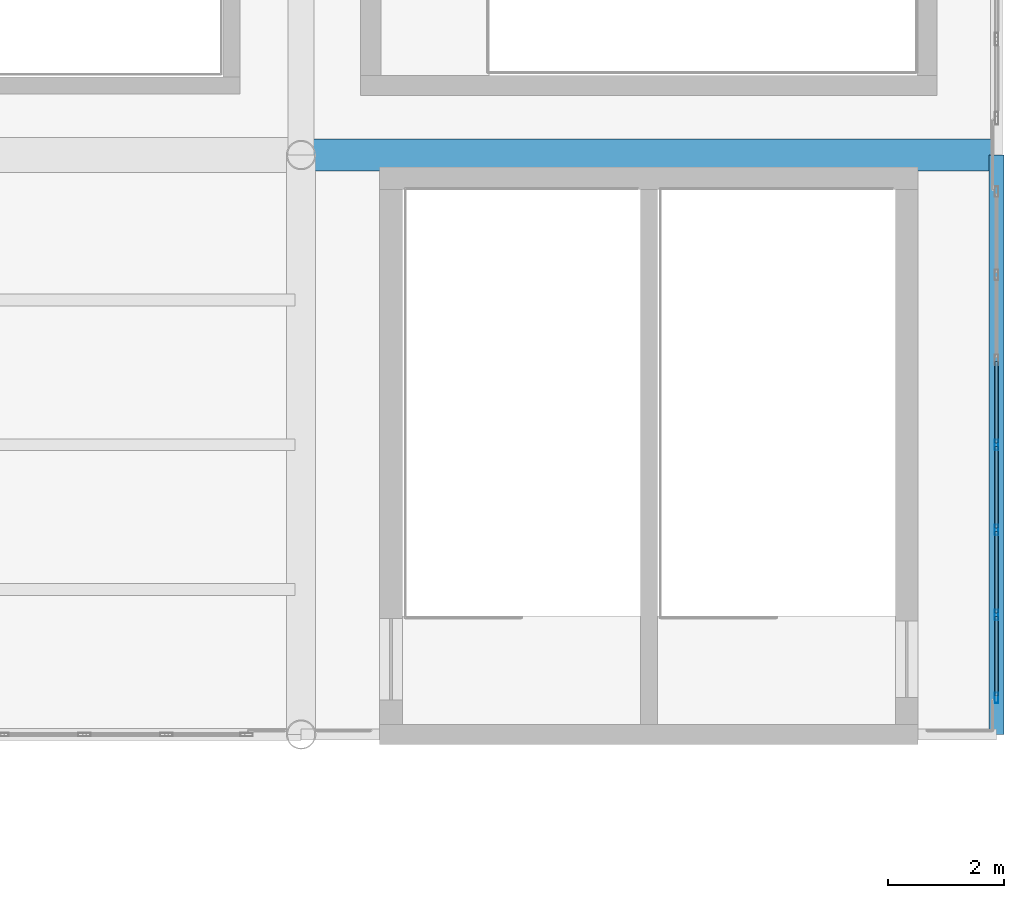
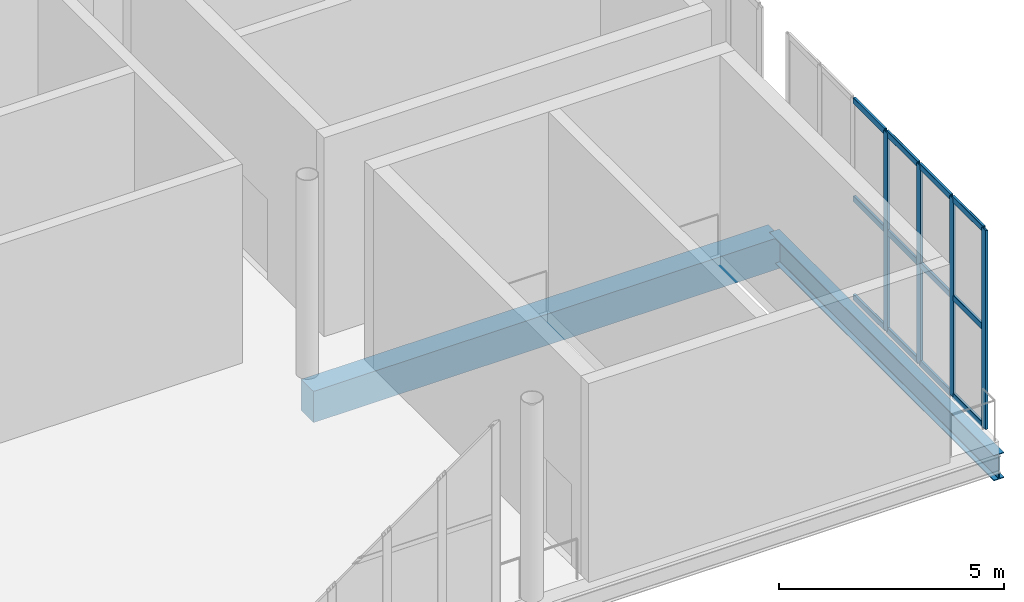
# One storey, part 29 of 74: 16 members, 2 beams, 1 element without a shape of its own.
"""IFC4 building model written with IfcOpenShell, lengths in metres."""

import ifcopenshell
import ifcopenshell.guid

model = None  # the IFC model being written
_history = None  # IfcOwnerHistory: only IFC2X3 demands one
_inside = {}  # id of a spatial element -> (the spatial element, [elements in it])
_under = {}  # id of a project, library or spatial element -> (it, [spatial elements below it])
_declared = {}  # id of a project -> (the project, [libraries it declares])
_typed = {}  # id of a type object -> (the type object, [elements of that type])
_made_of = {}  # id of a material, layer set ... -> (it, [elements and type objects made of it])


def new_model(schema):
    """Start an empty IFC model of exactly this schema.

    Asked for "IFC4X3", IfcOpenShell would pick the latest addendum, in which some entities
    have other attributes; the version numbers below select the first issue.
    IFC2X3 requires an IfcOwnerHistory on every rooted entity: one is made here for all.
    """
    global model, _history
    if schema == "IFC4X3":
        model = ifcopenshell.file(schema_version=(4, 3, 0, 0))
    else:
        model = ifcopenshell.file(schema=schema)
    _inside.clear()
    _under.clear()
    _declared.clear()
    _typed.clear()
    _made_of.clear()
    _history = None
    if model.schema == "IFC2X3":
        org = make("IfcOrganization", Name="unknown")
        user = make(
            "IfcPersonAndOrganization",
            ThePerson=make("IfcPerson", FamilyName="unknown"),
            TheOrganization=org,
        )
        app = make(
            "IfcApplication",
            ApplicationDeveloper=org,
            Version="unknown",
            ApplicationFullName="unknown",
            ApplicationIdentifier="unknown",
        )
        _history = make(
            "IfcOwnerHistory",
            OwningUser=user,
            OwningApplication=app,
            ChangeAction="ADDED",
            CreationDate=0,
        )
    return model


def make(cls, **values):
    """One entity of the class cls with the attributes given. An attribute that is None is left unset."""
    return model.create_entity(
        cls, **{name: value for name, value in values.items() if value is not None}
    )


def rooted(cls, **values):
    """An entity with a GlobalId (a new one), such as an element, a storey or a relation."""
    return make(cls, GlobalId=ifcopenshell.guid.new(), OwnerHistory=_history, **values)


def si_unit(unit_type, name, prefix=None):
    """IfcSIUnit, for example si_unit("LENGTHUNIT", "METRE", prefix="MILLI")."""
    return make("IfcSIUnit", UnitType=unit_type, Prefix=prefix, Name=name)


def assignment(units):
    """IfcUnitAssignment: the units of a project."""
    return None if units is None else make("IfcUnitAssignment", Units=units)


def point(xyz):
    """IfcCartesianPoint."""
    return None if xyz is None else make("IfcCartesianPoint", Coordinates=xyz)


def direction(xyz):
    """IfcDirection."""
    return None if xyz is None else make("IfcDirection", DirectionRatios=xyz)


def frame(location, z_axis=None, x_axis=None):
    """IfcAxis2Placement3D, a coordinate frame: its origin and axes. An axis left out is left unset."""
    return make(
        "IfcAxis2Placement3D",
        Location=point(location),
        Axis=direction(z_axis),
        RefDirection=direction(x_axis),
    )


def frame_2d(location, x_axis=None):
    """IfcAxis2Placement2D, a coordinate frame in the plane: its origin and x axis."""
    return make(
        "IfcAxis2Placement2D", Location=point(location), RefDirection=direction(x_axis)
    )


def origin():
    """The frame at (0, 0, 0) with its axes left unset."""
    return frame((0.0, 0.0, 0.0))


def origin_2d():
    """The frame at (0, 0) in the plane with its x axis left unset."""
    return frame_2d((0.0, 0.0))


def place(relative_to, where):
    """IfcLocalPlacement: puts the frame where relative to a parent placement (None: the world)."""
    return make(
        "IfcLocalPlacement", PlacementRelTo=relative_to, RelativePlacement=where
    )


def context(
    kind, dimensions, precision=None, world=None, true_north=None, identifier=None
):
    """IfcGeometricRepresentationContext, for example the 3D "Model" context."""
    return make(
        "IfcGeometricRepresentationContext",
        ContextIdentifier=identifier,
        ContextType=kind,
        CoordinateSpaceDimension=dimensions,
        Precision=precision,
        WorldCoordinateSystem=world,
        TrueNorth=true_north,
    )


def subcontext(parent, identifier, kind, view, scale=None):
    """IfcGeometricRepresentationSubContext, for example "Body" below "Model"."""
    return make(
        "IfcGeometricRepresentationSubContext",
        ContextIdentifier=identifier,
        ContextType=kind,
        ParentContext=parent,
        TargetScale=scale,
        TargetView=view,
    )


def project(units=None, contexts=None):
    """IfcProject with its units and contexts."""
    return rooted(
        "IfcProject",
        Name="project",
        RepresentationContexts=contexts,
        UnitsInContext=assignment(units),
    )


def spatial(cls, under=None, at=None, **own):
    """A site, building, storey or space (cls), placed at a placement, below another one or the project."""
    s = rooted(cls, ObjectPlacement=at, **own)
    if under is not None:
        _under.setdefault(under.id(), (under, []))[1].append(s)
    return s


def profile(cls, at=None, kind="AREA", **sizes):
    """A parametric profile (cls). Its sizes go by their IFC names, for example OverallWidth=200.0."""
    return make(cls, ProfileType=kind, Position=at, **sizes)


def rectangle(**sizes):
    """IfcRectangleProfileDef."""
    return profile("IfcRectangleProfileDef", **sizes)


def hollow_rectangle(**sizes):
    """IfcRectangleHollowProfileDef."""
    return profile("IfcRectangleHollowProfileDef", **sizes)


def i_section(**sizes):
    """IfcIShapeProfileDef."""
    return profile("IfcIShapeProfileDef", **sizes)


def extrude(swept, where, along, depth):
    """IfcExtrudedAreaSolid: the profile swept, set in the frame where, extruded along a direction by depth."""
    return make(
        "IfcExtrudedAreaSolid",
        SweptArea=swept,
        Position=where,
        ExtrudedDirection=direction(along),
        Depth=depth,
    )


def shape(context_of_items, identifier, shape_type, items):
    """IfcShapeRepresentation: the items that make up one representation, for example the "Body"."""
    return make(
        "IfcShapeRepresentation",
        ContextOfItems=context_of_items,
        RepresentationIdentifier=identifier,
        RepresentationType=shape_type,
        Items=items,
    )


def material(Name=None, Category=None):
    """IfcMaterial."""
    return make("IfcMaterial", Name=Name, Category=Category)


def layer(
    of_material, thickness, ventilated=None, Name=None, Category=None, Priority=None
):
    """IfcMaterialLayer: one layer of a wall or slab, of a material (None: an air gap)."""
    return make(
        "IfcMaterialLayer",
        Material=of_material,
        LayerThickness=thickness,
        IsVentilated=ventilated,
        Name=Name,
        Category=Category,
        Priority=Priority,
    )


def layer_set(layers, Name=None):
    """IfcMaterialLayerSet."""
    return make("IfcMaterialLayerSet", MaterialLayers=layers, LayerSetName=Name)


def material_profile(
    of_material, cross_section, Name=None, Category=None, Priority=None
):
    """IfcMaterialProfile: a cross section and its material."""
    return make(
        "IfcMaterialProfile",
        Name=Name,
        Material=of_material,
        Profile=cross_section,
        Priority=Priority,
        Category=Category,
    )


def profile_set(profiles, Name=None, composite=None):
    """IfcMaterialProfileSet."""
    return make(
        "IfcMaterialProfileSet",
        Name=Name,
        MaterialProfiles=profiles,
        CompositeProfile=composite,
    )


def made_of(thing, what):
    """Note that an element or type object is made of a material, layer set ...; save() writes the relation."""
    if what is not None:
        _made_of.setdefault(what.id(), (what, []))[1].append(thing)
    return thing


def type_object(cls, material=None, **own):
    """A type object (cls), such as IfcWallType, which elements share."""
    return made_of(rooted(cls, **own), material)


def element(
    cls,
    number,
    at=None,
    inside=None,
    cuts=None,
    type_object=None,
    material=None,
    context=None,
    identifier="Body",
    shape_type=None,
    held_by="IfcProductDefinitionShape",
    body=None,
    shapes=None,
    **own,
):
    """One element of the class cls, such as IfcWall. Its Tag is "e" and its number.

    at: its placement. inside: the storey or other place that contains it. cuts: it is an
    opening in that element (IfcRelVoidsElement). A single representation is given by context,
    identifier, shape_type and body (its items); several are given by shapes. held_by: the class
    of the entity that holds the representations. save() writes the other relations.
    """
    e = rooted(cls, Tag="e%d" % number, ObjectPlacement=at, **own)
    if body is not None:
        shapes = [shape(context, identifier, shape_type, body)]
    if shapes is not None:
        e.Representation = make(held_by, Representations=shapes)
    if inside is not None:
        _inside.setdefault(inside.id(), (inside, []))[1].append(e)
    if cuts is not None:
        rooted(
            "IfcRelVoidsElement", RelatingBuildingElement=cuts, RelatedOpeningElement=e
        )
    if type_object is not None:
        _typed.setdefault(type_object.id(), (type_object, []))[1].append(e)
    return made_of(e, material)


def aggregate(whole, parts):
    """IfcRelAggregates: a whole, such as a stair, and the parts it consists of."""
    return rooted("IfcRelAggregates", RelatingObject=whole, RelatedObjects=parts)


def save(model, path):
    """Write the relations noted so far, then the file.

    IfcRelAggregates (storeys below a building ...), IfcRelContainedInSpatialStructure (elements
    in a storey), IfcRelDefinesByType, IfcRelAssociatesMaterial and IfcRelDeclares: one each for
    every whole, place, type object, material and project.
    """
    for whole, parts in _under.values():
        aggregate(whole, parts)
    for where, things in _inside.values():
        rooted(
            "IfcRelContainedInSpatialStructure",
            RelatedElements=things,
            RelatingStructure=where,
        )
    for kind, things in _typed.values():
        rooted("IfcRelDefinesByType", RelatedObjects=things, RelatingType=kind)
    for what, things in _made_of.values():
        rooted("IfcRelAssociatesMaterial", RelatedObjects=things, RelatingMaterial=what)
    for by, libraries in _declared.values():
        rooted("IfcRelDeclares", RelatingContext=by, RelatedDefinitions=libraries)
    model.write(path)


model = new_model("IFC4")

# Units and contexts
model_context = context("Model", 3, precision=1e-05, world=origin(), true_north=direction((0.0, 1.0)))
body_context = subcontext(model_context, "Body", "Model", "MODEL_VIEW")
ifc_project = project(units=[si_unit("LENGTHUNIT", "METRE"), si_unit("AREAUNIT", "SQUARE_METRE"), si_unit("VOLUMEUNIT", "CUBIC_METRE"), si_unit("PLANEANGLEUNIT", "RADIAN"), si_unit("MASSUNIT", "GRAM", prefix="KILO")], contexts=[model_context])

# Site, building, storey
site_placement = place(None, origin())
site = spatial("IfcSite", under=ifc_project, at=site_placement, CompositionType="ELEMENT")
building_placement = place(site_placement, origin())
building = spatial("IfcBuilding", under=site, at=building_placement, Name="Brinegate Civic Arena", CompositionType="ELEMENT")
storey_placement = place(building_placement, frame((0.0, 0.0, 19.199951171875)))
storey = spatial("IfcBuildingStorey", under=building, at=storey_placement, Name="L04", CompositionType="ELEMENT", Elevation=19.199951171875)

# Curtain wall, members
ifc_material_1 = material(Name="Marine grade aluminium", Category="aluminium")
ifc_layer = layer(ifc_material_1, 0.199951171875, Name="Marine grade aluminium")
ifc_layer_set = layer_set([ifc_layer], Name="Marine grade aluminium")
curtain_wall_type = type_object("IfcCurtainWallType", Name="CW-BOWL-GLAZED-01", PredefinedType="USERDEFINED", material=ifc_layer_set)
curtain_wall_placement = place(storey_placement, origin())
curtain_wall = element("IfcCurtainWall", 1, at=curtain_wall_placement, inside=storey, type_object=curtain_wall_type, Name="Curtain Wall CWA-134", ObjectType="GLAZED CURTAIN WALL", PredefinedType="USERDEFINED")
ifc_material_profile_1 = material_profile(ifc_material_1, hollow_rectangle(XDim=0.06494140625, YDim=0.179931640625, WallThickness=0.0048828125, InnerFilletRadius=0.00390625, OuterFilletRadius=0.008056640625, at=origin_2d()), Name="MUL65X180")
ifc_profile_set_1 = profile_set([ifc_material_profile_1], Name="Marine grade aluminium")
member_type_1 = type_object("IfcMemberType", Name="CW-MULLION-65X180", PredefinedType="MULLION", material=ifc_profile_set_1)
member_1_placement = place(storey_placement, frame((168.0, 10.632568359375, 0.0), z_axis=(0.0, 0.0, 1.0), x_axis=(-1.0, 0.0, 0.0)))
member_1 = element("IfcMember", 2, at=member_1_placement, type_object=member_type_1, Name="CWA-134 mullion 1", PredefinedType="MULLION", context=body_context, shape_type="SweptSolid", body=[
    extrude(hollow_rectangle(XDim=0.06494140625, YDim=0.179931640625, WallThickness=0.0048828125, InnerFilletRadius=0.00390625, OuterFilletRadius=0.008056640625, at=origin_2d()), origin(), (0.0, 0.0, 1.0), 5.400146484375),
])
member_2_placement = place(storey_placement, frame((168.0, 12.066650390625, 0.0), z_axis=(0.0, 0.0, 1.0), x_axis=(-1.0, 0.0, 0.0)))
member_2 = element("IfcMember", 3, at=member_2_placement, type_object=member_type_1, Name="CWA-134 mullion 2", PredefinedType="MULLION", context=body_context, shape_type="SweptSolid", body=[
    extrude(hollow_rectangle(XDim=0.06494140625, YDim=0.179931640625, WallThickness=0.0048828125, InnerFilletRadius=0.00390625, OuterFilletRadius=0.008056640625, at=origin_2d()), origin(), (0.0, 0.0, 1.0), 5.400146484375),
])
member_3_placement = place(storey_placement, frame((168.0, 13.533447265625, 0.0), z_axis=(0.0, 0.0, 1.0), x_axis=(-1.0, 0.0, 0.0)))
member_3 = element("IfcMember", 4, at=member_3_placement, type_object=member_type_1, Name="CWA-134 mullion 3", PredefinedType="MULLION", context=body_context, shape_type="SweptSolid", body=[
    extrude(hollow_rectangle(XDim=0.06494140625, YDim=0.179931640625, WallThickness=0.0048828125, InnerFilletRadius=0.00390625, OuterFilletRadius=0.008056640625, at=origin_2d()), origin(), (0.0, 0.0, 1.0), 5.400146484375),
])
member_4_placement = place(storey_placement, frame((168.0, 15.0, 0.0), z_axis=(0.0, 0.0, 1.0), x_axis=(-1.0, 0.0, 0.0)))
member_4 = element("IfcMember", 5, at=member_4_placement, type_object=member_type_1, Name="CWA-134 mullion 4", PredefinedType="MULLION", context=body_context, shape_type="SweptSolid", body=[
    extrude(hollow_rectangle(XDim=0.06494140625, YDim=0.179931640625, WallThickness=0.0048828125, InnerFilletRadius=0.00390625, OuterFilletRadius=0.008056640625, at=origin_2d()), origin(), (0.0, 0.0, 1.0), 5.400146484375),
])
ifc_material_profile_2 = material_profile(ifc_material_1, hollow_rectangle(XDim=0.06494140625, YDim=0.1650390625, WallThickness=0.0048828125, InnerFilletRadius=0.00390625, OuterFilletRadius=0.008056640625, at=origin_2d()), Name="TRN65X165")
ifc_profile_set_2 = profile_set([ifc_material_profile_2], Name="Marine grade aluminium")
member_type_2 = type_object("IfcMemberType", Name="CW-TRANSOM-65X165", PredefinedType="USERDEFINED", material=ifc_profile_set_2)
member_5_placement = place(storey_placement, frame((168.0, 10.6650390625, 0.032470703125), z_axis=(0.0, 1.0, 0.0), x_axis=(-1.0, 0.0, 0.0)))
member_5 = element("IfcMember", 6, at=member_5_placement, type_object=member_type_2, Name="CWA-134 transom 1.1", ObjectType="TRANSOM", PredefinedType="USERDEFINED", context=body_context, shape_type="SweptSolid", body=[
    extrude(hollow_rectangle(XDim=0.06494140625, YDim=0.1650390625, WallThickness=0.0048828125, InnerFilletRadius=0.00390625, OuterFilletRadius=0.008056640625, at=origin_2d()), origin(), (0.0, 0.0, 1.0), 1.369140625),
])
member_6_placement = place(storey_placement, frame((168.0, 10.6650390625, 2.699951171875), z_axis=(0.0, 1.0, 0.0), x_axis=(-1.0, 0.0, 0.0)))
member_6 = element("IfcMember", 7, at=member_6_placement, type_object=member_type_2, Name="CWA-134 transom 1.2", ObjectType="TRANSOM", PredefinedType="USERDEFINED", context=body_context, shape_type="SweptSolid", body=[
    extrude(hollow_rectangle(XDim=0.06494140625, YDim=0.1650390625, WallThickness=0.0048828125, InnerFilletRadius=0.00390625, OuterFilletRadius=0.008056640625, at=origin_2d()), origin(), (0.0, 0.0, 1.0), 1.369140625),
])
member_7_placement = place(storey_placement, frame((168.0, 10.6650390625, 5.367431640625), z_axis=(0.0, 1.0, 0.0), x_axis=(-1.0, 0.0, 0.0)))
member_7 = element("IfcMember", 8, at=member_7_placement, type_object=member_type_2, Name="CWA-134 transom 1.3", ObjectType="TRANSOM", PredefinedType="USERDEFINED", context=body_context, shape_type="SweptSolid", body=[
    extrude(hollow_rectangle(XDim=0.06494140625, YDim=0.1650390625, WallThickness=0.0048828125, InnerFilletRadius=0.00390625, OuterFilletRadius=0.008056640625, at=origin_2d()), origin(), (0.0, 0.0, 1.0), 1.369140625),
])
member_8_placement = place(storey_placement, frame((168.0, 12.09912109375, 0.032470703125), z_axis=(0.0, 1.0, 0.0), x_axis=(-1.0, 0.0, 0.0)))
member_8 = element("IfcMember", 9, at=member_8_placement, type_object=member_type_2, Name="CWA-134 transom 2.1", ObjectType="TRANSOM", PredefinedType="USERDEFINED", context=body_context, shape_type="SweptSolid", body=[
    extrude(hollow_rectangle(XDim=0.06494140625, YDim=0.1650390625, WallThickness=0.0048828125, InnerFilletRadius=0.00390625, OuterFilletRadius=0.008056640625, at=origin_2d()), origin(), (0.0, 0.0, 1.0), 1.401611328125),
])
member_9_placement = place(storey_placement, frame((168.0, 12.09912109375, 2.699951171875), z_axis=(0.0, 1.0, 0.0), x_axis=(-1.0, 0.0, 0.0)))
member_9 = element("IfcMember", 10, at=member_9_placement, type_object=member_type_2, Name="CWA-134 transom 2.2", ObjectType="TRANSOM", PredefinedType="USERDEFINED", context=body_context, shape_type="SweptSolid", body=[
    extrude(hollow_rectangle(XDim=0.06494140625, YDim=0.1650390625, WallThickness=0.0048828125, InnerFilletRadius=0.00390625, OuterFilletRadius=0.008056640625, at=origin_2d()), origin(), (0.0, 0.0, 1.0), 1.401611328125),
])
member_10_placement = place(storey_placement, frame((168.0, 12.09912109375, 5.367431640625), z_axis=(0.0, 1.0, 0.0), x_axis=(-1.0, 0.0, 0.0)))
member_10 = element("IfcMember", 11, at=member_10_placement, type_object=member_type_2, Name="CWA-134 transom 2.3", ObjectType="TRANSOM", PredefinedType="USERDEFINED", context=body_context, shape_type="SweptSolid", body=[
    extrude(hollow_rectangle(XDim=0.06494140625, YDim=0.1650390625, WallThickness=0.0048828125, InnerFilletRadius=0.00390625, OuterFilletRadius=0.008056640625, at=origin_2d()), origin(), (0.0, 0.0, 1.0), 1.401611328125),
])
member_11_placement = place(storey_placement, frame((168.0, 13.56591796875, 0.032470703125), z_axis=(0.0, 1.0, 0.0), x_axis=(-1.0, 0.0, 0.0)))
member_11 = element("IfcMember", 12, at=member_11_placement, type_object=member_type_2, Name="CWA-134 transom 3.1", ObjectType="TRANSOM", PredefinedType="USERDEFINED", context=body_context, shape_type="SweptSolid", body=[
    extrude(hollow_rectangle(XDim=0.06494140625, YDim=0.1650390625, WallThickness=0.0048828125, InnerFilletRadius=0.00390625, OuterFilletRadius=0.008056640625, at=origin_2d()), origin(), (0.0, 0.0, 1.0), 1.401611328125),
])
member_12_placement = place(storey_placement, frame((168.0, 13.56591796875, 2.699951171875), z_axis=(0.0, 1.0, 0.0), x_axis=(-1.0, 0.0, 0.0)))
member_12 = element("IfcMember", 13, at=member_12_placement, type_object=member_type_2, Name="CWA-134 transom 3.2", ObjectType="TRANSOM", PredefinedType="USERDEFINED", context=body_context, shape_type="SweptSolid", body=[
    extrude(hollow_rectangle(XDim=0.06494140625, YDim=0.1650390625, WallThickness=0.0048828125, InnerFilletRadius=0.00390625, OuterFilletRadius=0.008056640625, at=origin_2d()), origin(), (0.0, 0.0, 1.0), 1.401611328125),
])
member_13_placement = place(storey_placement, frame((168.0, 13.56591796875, 5.367431640625), z_axis=(0.0, 1.0, 0.0), x_axis=(-1.0, 0.0, 0.0)))
member_13 = element("IfcMember", 14, at=member_13_placement, type_object=member_type_2, Name="CWA-134 transom 3.3", ObjectType="TRANSOM", PredefinedType="USERDEFINED", context=body_context, shape_type="SweptSolid", body=[
    extrude(hollow_rectangle(XDim=0.06494140625, YDim=0.1650390625, WallThickness=0.0048828125, InnerFilletRadius=0.00390625, OuterFilletRadius=0.008056640625, at=origin_2d()), origin(), (0.0, 0.0, 1.0), 1.401611328125),
])
member_14_placement = place(storey_placement, frame((168.0, 15.032470703125, 0.032470703125), z_axis=(0.0, 1.0, 0.0), x_axis=(-1.0, 0.0, 0.0)))
member_14 = element("IfcMember", 15, at=member_14_placement, type_object=member_type_2, Name="CWA-134 transom 4.1", ObjectType="TRANSOM", PredefinedType="USERDEFINED", context=body_context, shape_type="SweptSolid", body=[
    extrude(hollow_rectangle(XDim=0.06494140625, YDim=0.1650390625, WallThickness=0.0048828125, InnerFilletRadius=0.00390625, OuterFilletRadius=0.008056640625, at=origin_2d()), origin(), (0.0, 0.0, 1.0), 1.401611328125),
])
member_15_placement = place(storey_placement, frame((168.0, 15.032470703125, 2.699951171875), z_axis=(0.0, 1.0, 0.0), x_axis=(-1.0, 0.0, 0.0)))
member_15 = element("IfcMember", 16, at=member_15_placement, type_object=member_type_2, Name="CWA-134 transom 4.2", ObjectType="TRANSOM", PredefinedType="USERDEFINED", context=body_context, shape_type="SweptSolid", body=[
    extrude(hollow_rectangle(XDim=0.06494140625, YDim=0.1650390625, WallThickness=0.0048828125, InnerFilletRadius=0.00390625, OuterFilletRadius=0.008056640625, at=origin_2d()), origin(), (0.0, 0.0, 1.0), 1.401611328125),
])
member_16_placement = place(storey_placement, frame((168.0, 15.032470703125, 5.367431640625), z_axis=(0.0, 1.0, 0.0), x_axis=(-1.0, 0.0, 0.0)))
member_16 = element("IfcMember", 17, at=member_16_placement, type_object=member_type_2, Name="CWA-134 transom 4.3", ObjectType="TRANSOM", PredefinedType="USERDEFINED", context=body_context, shape_type="SweptSolid", body=[
    extrude(hollow_rectangle(XDim=0.06494140625, YDim=0.1650390625, WallThickness=0.0048828125, InnerFilletRadius=0.00390625, OuterFilletRadius=0.008056640625, at=origin_2d()), origin(), (0.0, 0.0, 1.0), 1.401611328125),
])
aggregate(curtain_wall, [member_1, member_2, member_3, member_4, member_5, member_6, member_7, member_8, member_9, member_10, member_11, member_12, member_13, member_14, member_15, member_16])

# Beams
ifc_material_2 = material(Name="Concrete C50/60", Category="concrete")
ifc_material_profile_3 = material_profile(ifc_material_2, rectangle(XDim=0.550048828125, YDim=0.85009765625, at=origin_2d()), Name="RCB550X850")
ifc_profile_set_3 = profile_set([ifc_material_profile_3], Name="Concrete C50/60")
beam_type_1 = type_object("IfcBeamType", Name="RCG-550X850", PredefinedType="BEAM", material=ifc_profile_set_3)
beam_1_placement = place(storey_placement, frame((156.0, 20.0, -0.764892578125), z_axis=(1.0, 0.0, 0.0), x_axis=(0.0, 1.0, 0.0)))
element("IfcBeam", 18, at=beam_1_placement, inside=storey, type_object=beam_type_1, Name="Floor Girder BM-L04-GX-13-02", PredefinedType="BEAM", context=body_context, shape_type="SweptSolid", body=[
    extrude(rectangle(XDim=0.550048828125, YDim=0.85009765625, at=origin_2d()), origin(), (0.0, 0.0, 1.0), 12.0),
])
ifc_material_3 = material(Name="Steel S355", Category="steel")
ifc_material_profile_4 = material_profile(ifc_material_3, i_section(OverallWidth=0.256103515625, OverallDepth=0.693115234375, WebThickness=0.014892578125, FlangeThickness=0.02392578125, FilletRadius=0.01806640625, at=origin_2d()), Name="W690X170")
ifc_profile_set_4 = profile_set([ifc_material_profile_4], Name="Steel S355")
beam_type_2 = type_object("IfcBeamType", Name="SPANDREL-W690X170", PredefinedType="SPANDREL", material=ifc_profile_set_4)
beam_2_placement = place(storey_placement, frame((168.0, 10.0, -0.68603515625), z_axis=(0.0, 1.0, 0.0), x_axis=(-1.0, 0.0, 0.0)))
element("IfcBeam", 19, at=beam_2_placement, inside=storey, type_object=beam_type_2, Name="Floor Girder BM-L04-GY-14-01", PredefinedType="SPANDREL", context=body_context, shape_type="SweptSolid", body=[
    extrude(i_section(OverallWidth=0.256103515625, OverallDepth=0.693115234375, WebThickness=0.014892578125, FlangeThickness=0.02392578125, FilletRadius=0.01806640625, at=origin_2d()), origin(), (0.0, 0.0, 1.0), 10.0),
])

save(model, "model.ifc")
